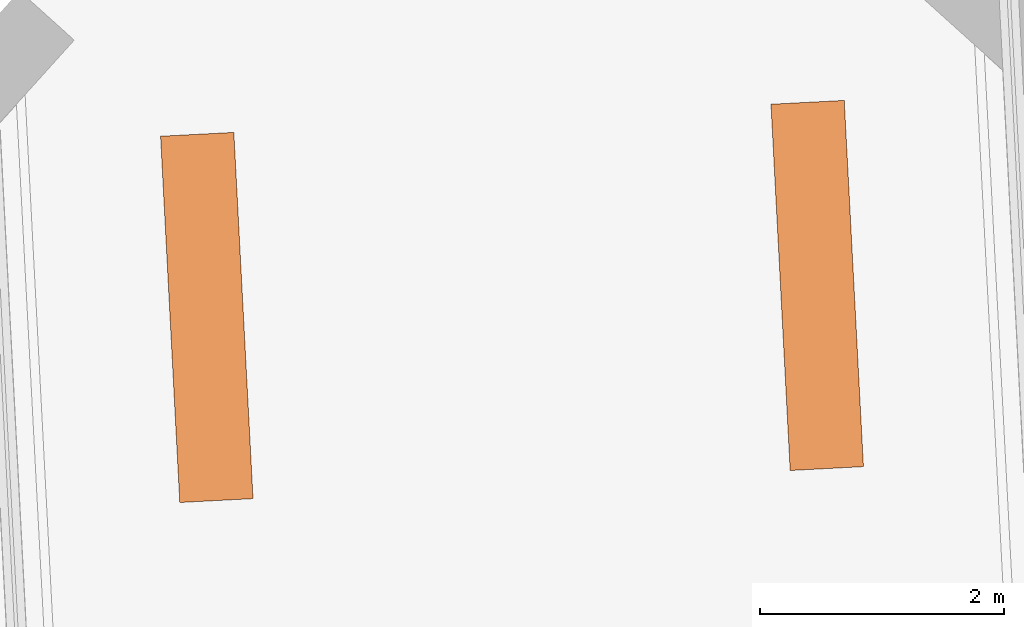
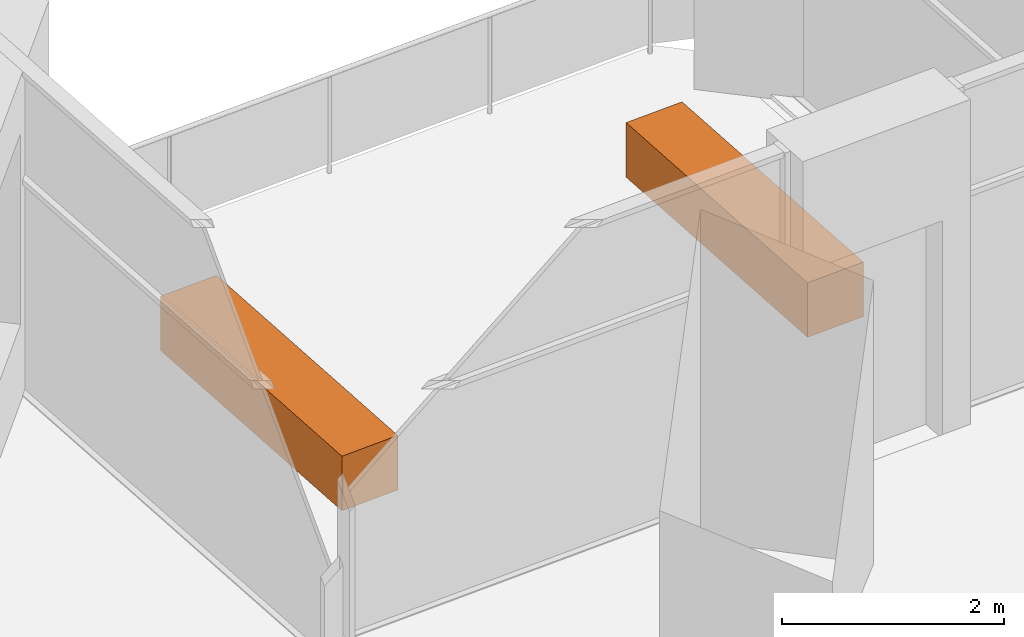
# One storey, part 12 of 12: 2 proxies.
"""IFC4 building model written with IfcOpenShell, lengths in metres."""

from ifc_helpers import new_model, si_unit, direction, frame, origin, origin_2d, place, context, subcontext, project, spatial, rectangle, extrude, element, save


model = new_model("IFC4")

# Units and contexts
model_context = context("Model", 3, precision=1e-05, world=origin(), true_north=direction((0.0, 1.0)))
body_context = subcontext(model_context, "Body", "Model", "MODEL_VIEW")
ifc_project = project(units=[si_unit("LENGTHUNIT", "METRE"), si_unit("AREAUNIT", "SQUARE_METRE"), si_unit("VOLUMEUNIT", "CUBIC_METRE"), si_unit("PLANEANGLEUNIT", "RADIAN"), si_unit("MASSUNIT", "GRAM", prefix="KILO")], contexts=[model_context])

# Site, building, storey
site_placement = place(None, origin())
site = spatial("IfcSite", under=ifc_project, at=site_placement, CompositionType="ELEMENT")
building_placement = place(site_placement, origin())
building = spatial("IfcBuilding", under=site, at=building_placement, Name="Dilmun Exchange Tower", CompositionType="ELEMENT")
storey_placement = place(building_placement, frame((0.0, 0.0, 221.300048828125)))
storey = spatial("IfcBuildingStorey", under=building, at=storey_placement, Name="L52", CompositionType="ELEMENT", Elevation=221.300048828125)

# Proxies
for number, where, z_axis, x_axis, name in (
    (1, (4.339111328125, 32.527099609375, 0.0), (0.0, 0.0, 1.0), (-0.052335956243, 0.998629534755, 0.0), "PLANTER Desert shrub L52.1"),
    (2, (-0.654052734375, 32.265380859375, 0.0), (0.0, 0.0, 1.0), (-0.052335956243, 0.998629534755, 0.0), "PLANTER Desert shrub L52.2"),
):
    element("IfcBuildingElementProxy", number, at=place(storey_placement, frame(where, z_axis=z_axis, x_axis=x_axis)), inside=storey, Name=name, ObjectType="PLANTER", PredefinedType="USERDEFINED", context=body_context, shape_type="SweptSolid", body=[
        extrude(rectangle(XDim=3.0, YDim=0.60009765625, at=origin_2d()), origin(), (0.0, 0.0, 1.0), 0.60009765625),
    ])

save(model, "model.ifc")
